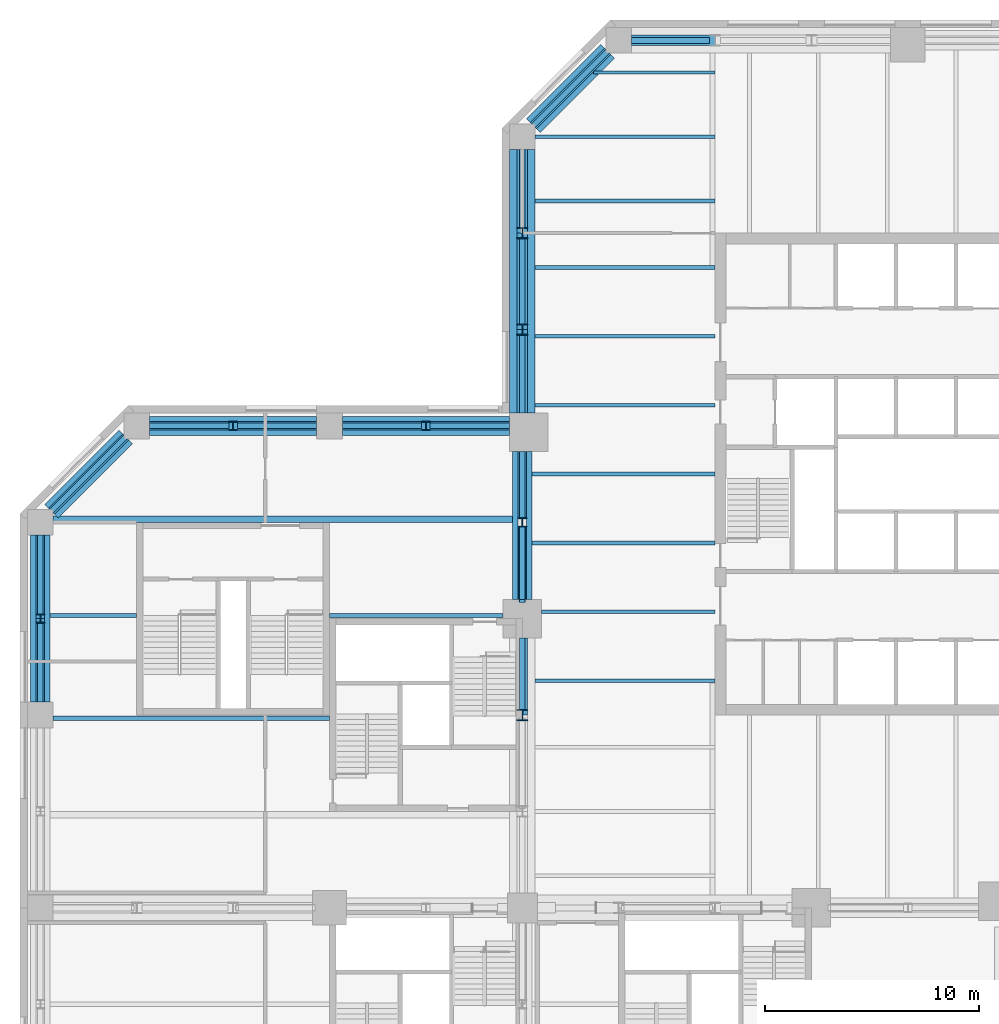
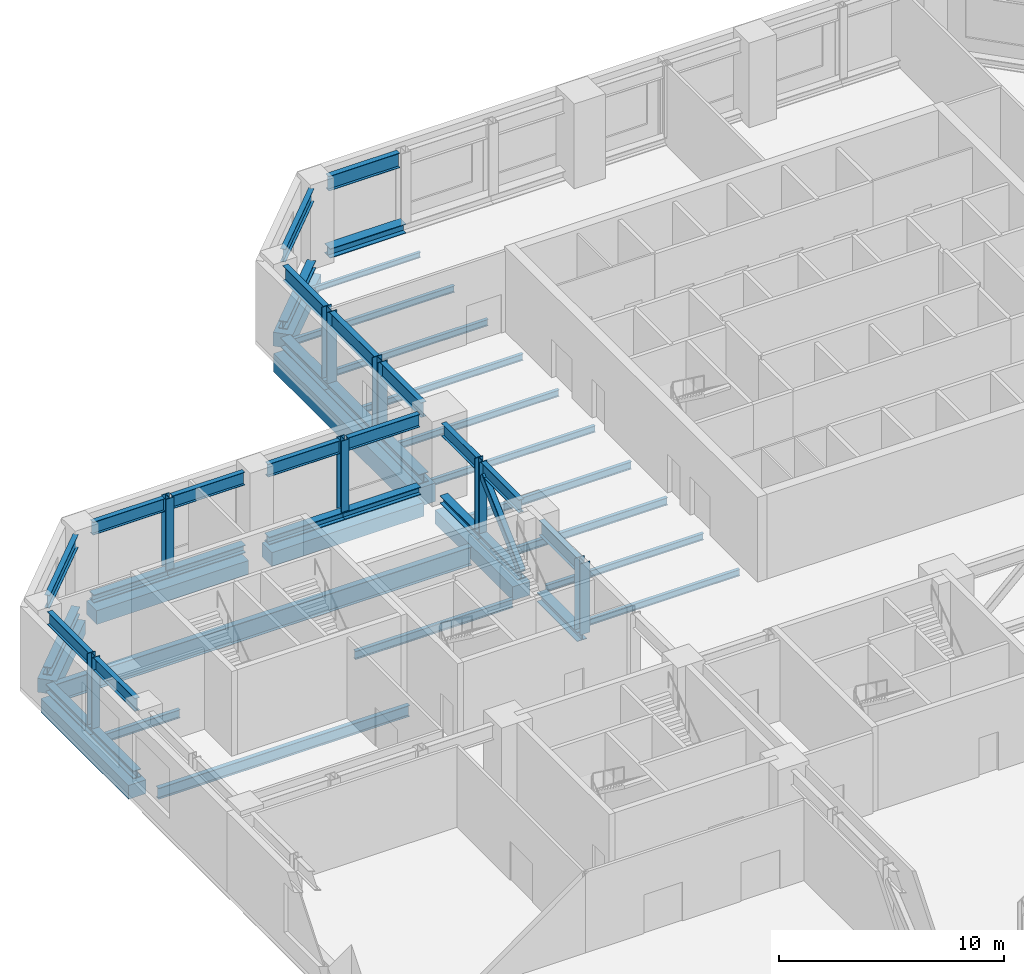
# One storey, part 8 of 21: 36 beams, 23 members.
"""IFC4 building model written with IfcOpenShell, lengths in metres."""

from ifc_helpers import new_model, si_unit, direction, frame, origin, origin_2d, place, context, subcontext, project, spatial, rectangle, hollow_rectangle, i_section, extrude, material, material_profile, profile_set, type_object, element, save


model = new_model("IFC4")

# Units and contexts
model_context = context("Model", 3, precision=1e-05, world=origin(), true_north=direction((0.0, 1.0)))
body_context = subcontext(model_context, "Body", "Model", "MODEL_VIEW")
ifc_project = project(units=[si_unit("LENGTHUNIT", "METRE"), si_unit("AREAUNIT", "SQUARE_METRE"), si_unit("VOLUMEUNIT", "CUBIC_METRE"), si_unit("PLANEANGLEUNIT", "RADIAN"), si_unit("MASSUNIT", "GRAM", prefix="KILO")], contexts=[model_context])

# Site, building, storey
site_placement = place(None, origin())
site = spatial("IfcSite", under=ifc_project, at=site_placement, CompositionType="ELEMENT")
building_placement = place(site_placement, origin())
building = spatial("IfcBuilding", under=site, at=building_placement, Name="Quoin Convention Tower", CompositionType="ELEMENT")
storey_placement = place(building_placement, frame((0.0, 0.0, 18.5)))
storey = spatial("IfcBuildingStorey", under=building, at=storey_placement, Name="L03", CompositionType="ELEMENT", Elevation=18.5)

# Beams
ifc_material_1 = material(Name="Steel Grade 300", Category="steel")
ifc_material_profile_1 = material_profile(ifc_material_1, i_section(OverallWidth=0.300048828125, OverallDepth=1.0, WebThickness=0.01611328125, FlangeThickness=0.02001953125, at=origin_2d()), Name="1000WB215")
ifc_profile_set_1 = profile_set([ifc_material_profile_1], Name="Steel Grade 300")
beam_type_1 = type_object("IfcBeamType", Name="1000WB215", PredefinedType="BEAM", material=ifc_profile_set_1)
beam_1_placement = place(storey_placement, frame((14.10009765625, 58.64990234375, -0.719970703125), z_axis=(1.0, 0.0, 0.0), x_axis=(0.0, 1.0, 0.0)))
element("IfcBeam", 1, at=beam_1_placement, inside=storey, type_object=beam_type_1, Name="gir-L03-ST2-4-0", PredefinedType="BEAM", context=body_context, shape_type="SweptSolid", body=[
    extrude(i_section(OverallWidth=0.300048828125, OverallDepth=1.0, WebThickness=0.01611328125, FlangeThickness=0.02001953125, at=origin_2d()), origin(), (0.0, 0.0, 1.0), 21.449951171875),
])
ifc_material_profile_2 = material_profile(ifc_material_1, i_section(OverallWidth=0.14892578125, OverallDepth=0.298095703125, WebThickness=0.005615234375, FlangeThickness=0.008056640625, FilletRadius=0.012939453125, at=origin_2d()), Name="310UB32.0")
ifc_profile_set_2 = profile_set([ifc_material_profile_2], Name="Steel Grade 300")
beam_type_2 = type_object("IfcBeamType", Name="310UB32.0", PredefinedType="BEAM", material=ifc_profile_set_2)
beam_2_placement = place(storey_placement, frame((39.31982421875, 79.5, -0.368896484375), z_axis=(1.0, 0.0, 0.0), x_axis=(0.0, 1.0, 0.0)))
element("IfcBeam", 2, at=beam_2_placement, inside=storey, type_object=beam_type_2, Name="bm-L03-T1NW0", PredefinedType="BEAM", context=body_context, shape_type="SweptSolid", body=[
    extrude(i_section(OverallWidth=0.14892578125, OverallDepth=0.298095703125, WebThickness=0.005615234375, FlangeThickness=0.008056640625, FilletRadius=0.012939453125, at=origin_2d()), origin(), (0.0, 0.0, 1.0), 5.68017578125),
])
ifc_material_profile_3 = material_profile(ifc_material_1, i_section(OverallWidth=0.1708984375, OverallDepth=0.35205078125, WebThickness=0.0068359375, FlangeThickness=0.009765625, FilletRadius=0.011474609375, at=origin_2d()), Name="360UB44.7")
ifc_profile_set_3 = profile_set([ifc_material_profile_3], Name="Steel Grade 300")
beam_type_3 = type_object("IfcBeamType", Name="360UB44.7", PredefinedType="BEAM", material=ifc_profile_set_3)
beam_3_placement = place(storey_placement, frame((36.60009765625, 51.107177734375, -0.39599609375), z_axis=(1.0, 0.0, 0.0), x_axis=(0.0, 1.0, 0.0)))
element("IfcBeam", 3, at=beam_3_placement, inside=storey, type_object=beam_type_3, Name="bm-L03-T1W0", PredefinedType="BEAM", context=body_context, shape_type="SweptSolid", body=[
    extrude(i_section(OverallWidth=0.1708984375, OverallDepth=0.35205078125, WebThickness=0.0068359375, FlangeThickness=0.009765625, FilletRadius=0.011474609375, at=origin_2d()), origin(), (0.0, 0.0, 1.0), 8.39990234375),
])
beam_4_placement = place(storey_placement, frame((36.89990234375, 54.3212890625, -0.39599609375), z_axis=(1.0, 0.0, 0.0), x_axis=(0.0, 1.0, 0.0)))
element("IfcBeam", 4, at=beam_4_placement, inside=storey, type_object=beam_type_3, Name="bm-L03-T1W1", PredefinedType="BEAM", context=body_context, shape_type="SweptSolid", body=[
    extrude(i_section(OverallWidth=0.1708984375, OverallDepth=0.35205078125, WebThickness=0.0068359375, FlangeThickness=0.009765625, FilletRadius=0.011474609375, at=origin_2d()), origin(), (0.0, 0.0, 1.0), 8.10009765625),
])
for number, where, z_axis, x_axis, name in (
    (5, (36.60009765625, 63.96435546875, -0.39599609375), (1.0, 0.0, 0.0), (0.0, 1.0, 0.0), "bm-L03-T1W4"),
    (6, (36.60009765625, 67.1787109375, -0.39599609375), (1.0, 0.0, 0.0), (0.0, 1.0, 0.0), "bm-L03-T1W5"),
    (7, (36.60009765625, 70.392822265625, -0.39599609375), (1.0, 0.0, 0.0), (0.0, 1.0, 0.0), "bm-L03-T1W6"),
    (8, (36.60009765625, 76.5, -0.39599609375), (1.0, 0.0, 0.0), (0.0, 1.0, 0.0), "bm-L03-T1NW1"),
    (9, (36.60009765625, 73.5, -0.39599609375), (1.0, 0.0, 0.0), (0.0, 1.0, 0.0), "bm-L03-T1NW2"),
):
    element("IfcBeam", number, at=place(storey_placement, frame(where, z_axis=z_axis, x_axis=x_axis)), inside=storey, type_object=beam_type_3, Name=name, PredefinedType="BEAM", context=body_context, shape_type="SweptSolid", body=[
        extrude(i_section(OverallWidth=0.1708984375, OverallDepth=0.35205078125, WebThickness=0.0068359375, FlangeThickness=0.009765625, FilletRadius=0.011474609375, at=origin_2d()), origin(), (0.0, 0.0, 1.0), 8.39990234375),
    ])

# Members
ifc_material_profile_4 = material_profile(ifc_material_1, i_section(OverallWidth=0.39990234375, OverallDepth=0.422119140625, WebThickness=0.028076171875, FlangeThickness=0.035888671875, at=origin_2d()), Name="400WC303")
ifc_profile_set_4 = profile_set([ifc_material_profile_4], Name="Steel Grade 300")
member_type_1 = type_object("IfcMemberType", Name="400WC303", PredefinedType="CHORD", material=ifc_profile_set_4)
member_1_placement = place(storey_placement, frame((39.98486328125, 80.48486328125, 0.257080078125), z_axis=(-0.707106781187, -0.707106781187, 0.0), x_axis=(0.707106781187, -0.707106781187, 0.0)))
element("IfcMember", 10, at=member_1_placement, inside=storey, type_object=member_type_1, Name="Transfer girder L03 bottom chord 40500_81000-36000_76500", PredefinedType="CHORD", context=body_context, shape_type="SweptSolid", body=[
    extrude(i_section(OverallWidth=0.39990234375, OverallDepth=0.422119140625, WebThickness=0.028076171875, FlangeThickness=0.035888671875, at=origin_2d()), origin(), (0.0, 0.0, 1.0), 4.906982421875),
])
for number, where, z_axis, x_axis, name in (
    (11, (35.39990234375, 63.0, 0.257080078125), (-1.0, 0.0, 0.0), (0.0, -1.0, 0.0), "Transfer girder L03 bottom chord 36000_63000-31500_63000"),
    (12, (31.5, 63.0, 0.257080078125), (-1.0, 0.0, 0.0), (0.0, -1.0, 0.0), "Transfer girder L03 bottom chord 31500_63000-27000_63000"),
    (13, (26.39990234375, 63.0, 0.257080078125), (-1.0, 0.0, 0.0), (0.0, -1.0, 0.0), "Transfer girder L03 bottom chord 27000_63000-22500_63000"),
    (14, (22.5, 63.0, 0.257080078125), (-1.0, 0.0, 0.0), (0.0, -1.0, 0.0), "Transfer girder L03 bottom chord 22500_63000-18000_63000"),
):
    element("IfcMember", number, at=place(storey_placement, frame(where, z_axis=z_axis, x_axis=x_axis)), inside=storey, type_object=member_type_1, Name=name, PredefinedType="CHORD", context=body_context, shape_type="SweptSolid", body=[
        extrude(i_section(OverallWidth=0.39990234375, OverallDepth=0.422119140625, WebThickness=0.028076171875, FlangeThickness=0.035888671875, at=origin_2d()), origin(), (0.0, 0.0, 1.0), 3.89990234375),
    ])
member_2_placement = place(storey_placement, frame((17.48486328125, 62.48486328125, 0.257080078125), z_axis=(-0.707106781187, -0.707106781187, 0.0), x_axis=(0.707106781187, -0.707106781187, 0.0)))
element("IfcMember", 15, at=member_2_placement, inside=storey, type_object=member_type_1, Name="Transfer girder L03 bottom chord 18000_63000-13500_58500", PredefinedType="CHORD", context=body_context, shape_type="SweptSolid", body=[
    extrude(i_section(OverallWidth=0.39990234375, OverallDepth=0.422119140625, WebThickness=0.028076171875, FlangeThickness=0.035888671875, at=origin_2d()), origin(), (0.0, 0.0, 1.0), 4.906982421875),
])
for number, where, z_axis, x_axis, name in (
    (16, (13.5, 57.89990234375, 0.257080078125), (0.0, -1.0, 0.0), (1.0, 0.0, 0.0), "Transfer girder L03 bottom chord 13500_58500-13500_54000"),
    (17, (13.5, 54.0, 0.257080078125), (0.0, -1.0, 0.0), (1.0, 0.0, 0.0), "Transfer girder L03 bottom chord 13500_54000-13500_49500"),
):
    element("IfcMember", number, at=place(storey_placement, frame(where, z_axis=z_axis, x_axis=x_axis)), inside=storey, type_object=member_type_1, Name=name, PredefinedType="CHORD", context=body_context, shape_type="SweptSolid", body=[
        extrude(i_section(OverallWidth=0.39990234375, OverallDepth=0.422119140625, WebThickness=0.028076171875, FlangeThickness=0.035888671875, at=origin_2d()), origin(), (0.0, 0.0, 1.0), 3.89990234375),
    ])
member_3_placement = place(storey_placement, frame((36.0, 54.89990234375, 0.257080078125), z_axis=(0.0, 1.0, 0.0), x_axis=(-1.0, 0.0, 0.0)))
element("IfcMember", 18, at=member_3_placement, inside=storey, type_object=member_type_1, Name="Transfer truss L03 bottom chord 36000_54000-36000_58500", PredefinedType="CHORD", context=body_context, shape_type="SweptSolid", body=[
    extrude(i_section(OverallWidth=0.39990234375, OverallDepth=0.422119140625, WebThickness=0.028076171875, FlangeThickness=0.035888671875, at=origin_2d()), origin(), (0.0, 0.0, 1.0), 3.60009765625),
])
member_4_placement = place(storey_placement, frame((36.0, 58.5, 0.257080078125), z_axis=(0.0, 1.0, 0.0), x_axis=(-1.0, 0.0, 0.0)))
element("IfcMember", 19, at=member_4_placement, inside=storey, type_object=member_type_1, Name="Transfer truss L03 bottom chord 36000_58500-36000_63000", PredefinedType="CHORD", context=body_context, shape_type="SweptSolid", body=[
    extrude(i_section(OverallWidth=0.39990234375, OverallDepth=0.422119140625, WebThickness=0.028076171875, FlangeThickness=0.035888671875, at=origin_2d()), origin(), (0.0, 0.0, 1.0), 3.300048828125),
])
ifc_material_profile_5 = material_profile(ifc_material_1, i_section(OverallWidth=0.39990234375, OverallDepth=0.422119140625, WebThickness=0.028076171875, FlangeThickness=0.035888671875, at=origin_2d()), Name="400WC303")
ifc_profile_set_5 = profile_set([ifc_material_profile_5], Name="Steel Grade 300")
member_type_2 = type_object("IfcMemberType", Name="400WC303 transfer post", PredefinedType="POST", material=ifc_profile_set_5)
for number, where, z_axis, x_axis, name in (
    (20, (31.5, 63.0, 0.513916015625), (0.0, 0.0, 1.0), (1.0, 0.0, 0.0), "Transfer girder L03 post 31500_63000"),
    (21, (22.5, 63.0, 0.513916015625), (0.0, 0.0, 1.0), (1.0, 0.0, 0.0), "Transfer girder L03 post 22500_63000"),
    (22, (13.5, 54.0, 0.513916015625), (0.0, 0.0, 1.0), (1.0, 0.0, 0.0), "Transfer girder L03 post 13500_54000"),
    (23, (36.0, 58.5, 0.513916015625), (0.0, 0.0, 1.0), (1.0, 0.0, 0.0), "Transfer truss L03 post 36000_58500"),
):
    element("IfcMember", number, at=place(storey_placement, frame(where, z_axis=z_axis, x_axis=x_axis)), inside=storey, type_object=member_type_2, Name=name, PredefinedType="POST", context=body_context, shape_type="SweptSolid", body=[
        extrude(i_section(OverallWidth=0.39990234375, OverallDepth=0.422119140625, WebThickness=0.028076171875, FlangeThickness=0.035888671875, at=origin_2d()), origin(), (0.0, 0.0, 1.0), 3.865966796875),
    ])
ifc_material_2 = material(Name="Steel C450L0", Category="steel")
ifc_material_profile_6 = material_profile(ifc_material_2, hollow_rectangle(XDim=0.300048828125, YDim=0.39990234375, WallThickness=0.01611328125, InnerFilletRadius=0.02392578125, OuterFilletRadius=0.0400390625, at=origin_2d()), Name="400x300x16.0RHS")
ifc_profile_set_6 = profile_set([ifc_material_profile_6], Name="Steel C450L0")
member_type_3 = type_object("IfcMemberType", Name="400x300x16.0RHS", PredefinedType="BRACE", material=ifc_profile_set_6)
member_5_placement = place(storey_placement, frame((36.0, 54.89990234375, 0.513916015625), z_axis=(0.0, 0.731855113482, 0.681460265071), x_axis=(-1.0, 0.0, 0.0)))
element("IfcMember", 24, at=member_5_placement, inside=storey, type_object=member_type_3, Name="Transfer truss L03 diagonal 36000_54000-36000_58500", PredefinedType="BRACE", context=body_context, shape_type="SweptSolid", body=[
    extrude(hollow_rectangle(XDim=0.300048828125, YDim=0.39990234375, WallThickness=0.01611328125, InnerFilletRadius=0.02392578125, OuterFilletRadius=0.0400390625, at=origin_2d()), origin(), (0.0, 0.0, 1.0), 4.64599609375),
])

# Beams
ifc_material_profile_7 = material_profile(ifc_material_1, i_section(OverallWidth=0.177978515625, OverallDepth=0.403076171875, WebThickness=0.007568359375, FlangeThickness=0.010986328125, FilletRadius=0.011474609375, at=origin_2d()), Name="410UB53.7")
ifc_profile_set_7 = profile_set([ifc_material_profile_7], Name="Steel Grade 300")
beam_type_4 = type_object("IfcBeamType", Name="410UB53.7", PredefinedType="BEAM", material=ifc_profile_set_7)
for number, where, z_axis, x_axis, name in (
    (25, (36.449951171875, 57.53564453125, -0.42138671875), (1.0, 0.0, 0.0), (0.0, 1.0, 0.0), "bm-L03-T1W2"),
    (26, (36.449951171875, 60.75, -0.42138671875), (1.0, 0.0, 0.0), (0.0, 1.0, 0.0), "bm-L03-T1W3"),
):
    element("IfcBeam", number, at=place(storey_placement, frame(where, z_axis=z_axis, x_axis=x_axis)), inside=storey, type_object=beam_type_4, Name=name, PredefinedType="BEAM", context=body_context, shape_type="SweptSolid", body=[
        extrude(i_section(OverallWidth=0.177978515625, OverallDepth=0.403076171875, WebThickness=0.007568359375, FlangeThickness=0.010986328125, FilletRadius=0.011474609375, at=origin_2d()), origin(), (0.0, 0.0, 1.0), 8.550048828125),
    ])
ifc_material_profile_8 = material_profile(ifc_material_1, i_section(OverallWidth=0.18994140625, OverallDepth=0.4541015625, WebThickness=0.008544921875, FlangeThickness=0.0126953125, FilletRadius=0.011474609375, at=origin_2d()), Name="460UB67.1")
ifc_profile_set_8 = profile_set([ifc_material_profile_8], Name="Steel Grade 300")
beam_type_5 = type_object("IfcBeamType", Name="460UB67.1", PredefinedType="BEAM", material=ifc_profile_set_8)
beam_5_placement = place(storey_placement, frame((13.949951171875, 54.14990234375, -0.447021484375), z_axis=(1.0, 0.0, 0.0), x_axis=(0.0, 1.0, 0.0)))
element("IfcBeam", 27, at=beam_5_placement, inside=storey, type_object=beam_type_5, Name="gir-L03-ST2-3-0", PredefinedType="BEAM", context=body_context, shape_type="SweptSolid", body=[
    extrude(i_section(OverallWidth=0.18994140625, OverallDepth=0.4541015625, WebThickness=0.008544921875, FlangeThickness=0.0126953125, FilletRadius=0.011474609375, at=origin_2d()), origin(), (0.0, 0.0, 1.0), 4.050048828125),
])
beam_6_placement = place(storey_placement, frame((27.0, 54.14990234375, -0.447021484375), z_axis=(1.0, 0.0, 0.0), x_axis=(0.0, 1.0, 0.0)))
element("IfcBeam", 28, at=beam_6_placement, inside=storey, type_object=beam_type_5, Name="gir-L03-ST2-3-1", PredefinedType="BEAM", context=body_context, shape_type="SweptSolid", body=[
    extrude(i_section(OverallWidth=0.18994140625, OverallDepth=0.4541015625, WebThickness=0.008544921875, FlangeThickness=0.0126953125, FilletRadius=0.011474609375, at=origin_2d()), origin(), (0.0, 0.0, 1.0), 8.10009765625),
])

# Members
ifc_material_profile_9 = material_profile(ifc_material_1, i_section(OverallWidth=0.5, OverallDepth=0.513916015625, WebThickness=0.02490234375, FlangeThickness=0.031982421875, at=origin_2d()), Name="500WC340")
ifc_profile_set_9 = profile_set([ifc_material_profile_9], Name="Steel Grade 300")
member_type_4 = type_object("IfcMemberType", Name="500WC340", PredefinedType="CHORD", material=ifc_profile_set_9)
for number, where, z_axis, x_axis, name in (
    (29, (45.0, 81.0, 0.257080078125), (-1.0, 0.0, 0.0), (0.0, -1.0, 0.0), "Transfer girder L03 bottom chord 45000_81000-40500_81000"),
    (30, (36.0, 75.89990234375, 0.257080078125), (0.0, -1.0, 0.0), (1.0, 0.0, 0.0), "Transfer girder L03 bottom chord 36000_76500-36000_72000"),
):
    element("IfcMember", number, at=place(storey_placement, frame(where, z_axis=z_axis, x_axis=x_axis)), inside=storey, type_object=member_type_4, Name=name, PredefinedType="CHORD", context=body_context, shape_type="SweptSolid", body=[
        extrude(i_section(OverallWidth=0.5, OverallDepth=0.513916015625, WebThickness=0.02490234375, FlangeThickness=0.031982421875, at=origin_2d()), origin(), (0.0, 0.0, 1.0), 3.89990234375),
    ])
member_6_placement = place(storey_placement, frame((36.0, 72.0, 0.257080078125), z_axis=(0.0, -1.0, 0.0), x_axis=(1.0, 0.0, 0.0)))
element("IfcMember", 31, at=member_6_placement, inside=storey, type_object=member_type_4, Name="Transfer girder L03 bottom chord 36000_72000-36000_67500", PredefinedType="CHORD", context=body_context, shape_type="SweptSolid", body=[
    extrude(i_section(OverallWidth=0.5, OverallDepth=0.513916015625, WebThickness=0.02490234375, FlangeThickness=0.031982421875, at=origin_2d()), origin(), (0.0, 0.0, 1.0), 4.5),
])
member_7_placement = place(storey_placement, frame((36.0, 67.5, 0.257080078125), z_axis=(0.0, -1.0, 0.0), x_axis=(1.0, 0.0, 0.0)))
element("IfcMember", 32, at=member_7_placement, inside=storey, type_object=member_type_4, Name="Transfer girder L03 bottom chord 36000_67500-36000_63000", PredefinedType="CHORD", context=body_context, shape_type="SweptSolid", body=[
    extrude(i_section(OverallWidth=0.5, OverallDepth=0.513916015625, WebThickness=0.02490234375, FlangeThickness=0.031982421875, at=origin_2d()), origin(), (0.0, 0.0, 1.0), 3.89990234375),
])
member_8_placement = place(storey_placement, frame((36.0, 49.5, 0.257080078125), z_axis=(0.0, 1.0, 0.0), x_axis=(-1.0, 0.0, 0.0)))
element("IfcMember", 33, at=member_8_placement, inside=storey, type_object=member_type_4, Name="Transfer truss L03 bottom chord 36000_49500-36000_54000", PredefinedType="CHORD", context=body_context, shape_type="SweptSolid", body=[
    extrude(i_section(OverallWidth=0.5, OverallDepth=0.513916015625, WebThickness=0.02490234375, FlangeThickness=0.031982421875, at=origin_2d()), origin(), (0.0, 0.0, 1.0), 3.60009765625),
])
ifc_material_profile_10 = material_profile(ifc_material_1, i_section(OverallWidth=0.5, OverallDepth=0.513916015625, WebThickness=0.02490234375, FlangeThickness=0.031982421875, at=origin_2d()), Name="500WC340")
ifc_profile_set_10 = profile_set([ifc_material_profile_10], Name="Steel Grade 300")
member_type_5 = type_object("IfcMemberType", Name="500WC340 transfer post", PredefinedType="POST", material=ifc_profile_set_10)
for number, where, z_axis, x_axis, name in (
    (34, (36.0, 72.0, 0.513916015625), (0.0, 0.0, 1.0), (1.0, 0.0, 0.0), "Transfer girder L03 post 36000_72000"),
    (35, (36.0, 67.5, 0.513916015625), (0.0, 0.0, 1.0), (1.0, 0.0, 0.0), "Transfer girder L03 post 36000_67500"),
    (36, (36.0, 49.5, 0.513916015625), (0.0, 0.0, 1.0), (1.0, 0.0, 0.0), "Transfer truss L03 post 36000_49500"),
):
    element("IfcMember", number, at=place(storey_placement, frame(where, z_axis=z_axis, x_axis=x_axis)), inside=storey, type_object=member_type_5, Name=name, PredefinedType="POST", context=body_context, shape_type="SweptSolid", body=[
        extrude(i_section(OverallWidth=0.5, OverallDepth=0.513916015625, WebThickness=0.02490234375, FlangeThickness=0.031982421875, at=origin_2d()), origin(), (0.0, 0.0, 1.0), 3.865966796875),
    ])

# Beams
ifc_material_profile_11 = material_profile(ifc_material_1, i_section(OverallWidth=0.22802734375, OverallDepth=0.60205078125, WebThickness=0.010498046875, FlangeThickness=0.014892578125, FilletRadius=0.013916015625, at=origin_2d()), Name="610UB101")
ifc_profile_set_11 = profile_set([ifc_material_profile_11], Name="Steel Grade 300")
beam_type_6 = type_object("IfcBeamType", Name="610UB101", PredefinedType="BEAM", material=ifc_profile_set_11)
beam_7_placement = place(storey_placement, frame((14.10009765625, 49.35009765625, -0.52099609375), z_axis=(1.0, 0.0, 0.0), x_axis=(0.0, 1.0, 0.0)))
element("IfcBeam", 37, at=beam_7_placement, inside=storey, type_object=beam_type_6, Name="gir-L03-ST2-2-0", PredefinedType="BEAM", context=body_context, shape_type="SweptSolid", body=[
    extrude(i_section(OverallWidth=0.22802734375, OverallDepth=0.60205078125, WebThickness=0.010498046875, FlangeThickness=0.014892578125, FilletRadius=0.013916015625, at=origin_2d()), origin(), (0.0, 0.0, 1.0), 12.89990234375),
])
ifc_material_profile_12 = material_profile(ifc_material_1, i_section(OverallWidth=0.25, OverallDepth=0.699951171875, WebThickness=0.010009765625, FlangeThickness=0.02001953125, at=origin_2d()), Name="700WB130")
ifc_profile_set_12 = profile_set([ifc_material_profile_12], Name="Steel Grade 300")
beam_type_7 = type_object("IfcBeamType", Name="700WB130", PredefinedType="BEAM", material=ifc_profile_set_12)
beam_8_placement = place(storey_placement, frame((39.98486328125, 80.48486328125, 4.030029296875), z_axis=(-0.707106781187, -0.707106781187, 0.0), x_axis=(0.707106781187, -0.707106781187, 0.0)))
element("IfcBeam", 38, at=beam_8_placement, inside=storey, type_object=beam_type_7, Name="Transfer girder L03 top chord 40500_81000-36000_76500", PredefinedType="BEAM", context=body_context, shape_type="SweptSolid", body=[
    extrude(i_section(OverallWidth=0.25, OverallDepth=0.699951171875, WebThickness=0.010009765625, FlangeThickness=0.02001953125, at=origin_2d()), origin(), (0.0, 0.0, 1.0), 4.906982421875),
])
for number, where, z_axis, x_axis, name in (
    (39, (35.39990234375, 63.0, 4.030029296875), (-1.0, 0.0, 0.0), (0.0, -1.0, 0.0), "Transfer girder L03 top chord 36000_63000-31500_63000"),
    (40, (31.300048828125, 63.0, 4.030029296875), (-1.0, 0.0, 0.0), (0.0, -1.0, 0.0), "Transfer girder L03 top chord 31500_63000-27000_63000"),
    (41, (26.39990234375, 63.0, 4.030029296875), (-1.0, 0.0, 0.0), (0.0, -1.0, 0.0), "Transfer girder L03 top chord 27000_63000-22500_63000"),
    (42, (22.300048828125, 63.0, 4.030029296875), (-1.0, 0.0, 0.0), (0.0, -1.0, 0.0), "Transfer girder L03 top chord 22500_63000-18000_63000"),
):
    element("IfcBeam", number, at=place(storey_placement, frame(where, z_axis=z_axis, x_axis=x_axis)), inside=storey, type_object=beam_type_7, Name=name, PredefinedType="BEAM", context=body_context, shape_type="SweptSolid", body=[
        extrude(i_section(OverallWidth=0.25, OverallDepth=0.699951171875, WebThickness=0.010009765625, FlangeThickness=0.02001953125, at=origin_2d()), origin(), (0.0, 0.0, 1.0), 3.699951171875),
    ])
beam_9_placement = place(storey_placement, frame((17.48486328125, 62.48486328125, 4.030029296875), z_axis=(-0.707106781187, -0.707106781187, 0.0), x_axis=(0.707106781187, -0.707106781187, 0.0)))
element("IfcBeam", 43, at=beam_9_placement, inside=storey, type_object=beam_type_7, Name="Transfer girder L03 top chord 18000_63000-13500_58500", PredefinedType="BEAM", context=body_context, shape_type="SweptSolid", body=[
    extrude(i_section(OverallWidth=0.25, OverallDepth=0.699951171875, WebThickness=0.010009765625, FlangeThickness=0.02001953125, at=origin_2d()), origin(), (0.0, 0.0, 1.0), 4.906982421875),
])
for number, where, z_axis, x_axis, name in (
    (44, (13.5, 57.89990234375, 4.030029296875), (0.0, -1.0, 0.0), (1.0, 0.0, 0.0), "Transfer girder L03 top chord 13500_58500-13500_54000"),
    (45, (13.5, 53.800048828125, 4.030029296875), (0.0, -1.0, 0.0), (1.0, 0.0, 0.0), "Transfer girder L03 top chord 13500_54000-13500_49500"),
):
    element("IfcBeam", number, at=place(storey_placement, frame(where, z_axis=z_axis, x_axis=x_axis)), inside=storey, type_object=beam_type_7, Name=name, PredefinedType="BEAM", context=body_context, shape_type="SweptSolid", body=[
        extrude(i_section(OverallWidth=0.25, OverallDepth=0.699951171875, WebThickness=0.010009765625, FlangeThickness=0.02001953125, at=origin_2d()), origin(), (0.0, 0.0, 1.0), 3.699951171875),
    ])
beam_10_placement = place(storey_placement, frame((36.0, 54.89990234375, 4.030029296875), z_axis=(0.0, 1.0, 0.0), x_axis=(-1.0, 0.0, 0.0)))
element("IfcBeam", 46, at=beam_10_placement, inside=storey, type_object=beam_type_7, Name="Transfer truss L03 top chord 36000_54000-36000_58500", PredefinedType="BEAM", context=body_context, shape_type="SweptSolid", body=[
    extrude(i_section(OverallWidth=0.25, OverallDepth=0.699951171875, WebThickness=0.010009765625, FlangeThickness=0.02001953125, at=origin_2d()), origin(), (0.0, 0.0, 1.0), 3.400146484375),
])
beam_11_placement = place(storey_placement, frame((36.0, 58.699951171875, 4.030029296875), z_axis=(0.0, 1.0, 0.0), x_axis=(-1.0, 0.0, 0.0)))
element("IfcBeam", 47, at=beam_11_placement, inside=storey, type_object=beam_type_7, Name="Transfer truss L03 top chord 36000_58500-36000_63000", PredefinedType="BEAM", context=body_context, shape_type="SweptSolid", body=[
    extrude(i_section(OverallWidth=0.25, OverallDepth=0.699951171875, WebThickness=0.010009765625, FlangeThickness=0.02001953125, at=origin_2d()), origin(), (0.0, 0.0, 1.0), 3.10009765625),
])
ifc_material_profile_13 = material_profile(ifc_material_1, i_section(OverallWidth=0.27490234375, OverallDepth=0.800048828125, WebThickness=0.010009765625, FlangeThickness=0.02001953125, at=origin_2d()), Name="800WB146")
ifc_profile_set_13 = profile_set([ifc_material_profile_13], Name="Steel Grade 300")
beam_type_8 = type_object("IfcBeamType", Name="800WB146", PredefinedType="BEAM", material=ifc_profile_set_13)
for number, where, z_axis, x_axis, name in (
    (48, (44.75, 81.0, 3.97998046875), (-1.0, 0.0, 0.0), (0.0, -1.0, 0.0), "Transfer girder L03 top chord 45000_81000-40500_81000"),
    (49, (36.0, 75.89990234375, 3.97998046875), (0.0, -1.0, 0.0), (1.0, 0.0, 0.0), "Transfer girder L03 top chord 36000_76500-36000_72000"),
):
    element("IfcBeam", number, at=place(storey_placement, frame(where, z_axis=z_axis, x_axis=x_axis)), inside=storey, type_object=beam_type_8, Name=name, PredefinedType="BEAM", context=body_context, shape_type="SweptSolid", body=[
        extrude(i_section(OverallWidth=0.27490234375, OverallDepth=0.800048828125, WebThickness=0.010009765625, FlangeThickness=0.02001953125, at=origin_2d()), origin(), (0.0, 0.0, 1.0), 3.64990234375),
    ])
beam_12_placement = place(storey_placement, frame((36.0, 71.75, 3.97998046875), z_axis=(0.0, -1.0, 0.0), x_axis=(1.0, 0.0, 0.0)))
element("IfcBeam", 50, at=beam_12_placement, inside=storey, type_object=beam_type_8, Name="Transfer girder L03 top chord 36000_72000-36000_67500", PredefinedType="BEAM", context=body_context, shape_type="SweptSolid", body=[
    extrude(i_section(OverallWidth=0.27490234375, OverallDepth=0.800048828125, WebThickness=0.010009765625, FlangeThickness=0.02001953125, at=origin_2d()), origin(), (0.0, 0.0, 1.0), 4.0),
])
beam_13_placement = place(storey_placement, frame((36.0, 67.25, 3.97998046875), z_axis=(0.0, -1.0, 0.0), x_axis=(1.0, 0.0, 0.0)))
element("IfcBeam", 51, at=beam_13_placement, inside=storey, type_object=beam_type_8, Name="Transfer girder L03 top chord 36000_67500-36000_63000", PredefinedType="BEAM", context=body_context, shape_type="SweptSolid", body=[
    extrude(i_section(OverallWidth=0.27490234375, OverallDepth=0.800048828125, WebThickness=0.010009765625, FlangeThickness=0.02001953125, at=origin_2d()), origin(), (0.0, 0.0, 1.0), 3.64990234375),
])
beam_14_placement = place(storey_placement, frame((36.0, 49.75, 3.97998046875), z_axis=(0.0, 1.0, 0.0), x_axis=(-1.0, 0.0, 0.0)))
element("IfcBeam", 52, at=beam_14_placement, inside=storey, type_object=beam_type_8, Name="Transfer truss L03 top chord 36000_49500-36000_54000", PredefinedType="BEAM", context=body_context, shape_type="SweptSolid", body=[
    extrude(i_section(OverallWidth=0.27490234375, OverallDepth=0.800048828125, WebThickness=0.010009765625, FlangeThickness=0.02001953125, at=origin_2d()), origin(), (0.0, 0.0, 1.0), 3.35009765625),
])
ifc_material_3 = material(Name="Concrete C80", Category="concrete")
ifc_material_profile_14 = material_profile(ifc_material_3, rectangle(XDim=1.199951171875, YDim=1.0, at=origin_2d()), Name="RC 1200x1000")
ifc_profile_set_14 = profile_set([ifc_material_profile_14], Name="Concrete C80")
beam_type_9 = type_object("IfcBeamType", Name="RC 1200x1000 C80", PredefinedType="SPANDREL", material=ifc_profile_set_14)
beam_15_placement = place(storey_placement, frame((36.0, 75.89990234375, -0.719970703125), z_axis=(0.0, -1.0, 0.0), x_axis=(1.0, 0.0, 0.0)))
element("IfcBeam", 53, at=beam_15_placement, inside=storey, type_object=beam_type_9, Name="spd-L03-36000_76500-36000_63000", PredefinedType="SPANDREL", context=body_context, shape_type="SweptSolid", body=[
    extrude(rectangle(XDim=1.199951171875, YDim=1.0, at=origin_2d()), origin(), (0.0, 0.0, 1.0), 12.2998046875),
])
ifc_material_profile_15 = material_profile(ifc_material_3, rectangle(XDim=0.89990234375, YDim=0.75, at=origin_2d()), Name="RC 900x750")
ifc_profile_set_15 = profile_set([ifc_material_profile_15], Name="Concrete C80")
beam_type_10 = type_object("IfcBeamType", Name="RC 900x750 C80", PredefinedType="SPANDREL", material=ifc_profile_set_15)
beam_16_placement = place(storey_placement, frame((39.98486328125, 80.48486328125, -0.594970703125), z_axis=(-0.707106781187, -0.707106781187, 0.0), x_axis=(0.707106781187, -0.707106781187, 0.0)))
element("IfcBeam", 54, at=beam_16_placement, inside=storey, type_object=beam_type_10, Name="spd-L03-40500_81000-36000_76500", PredefinedType="SPANDREL", context=body_context, shape_type="SweptSolid", body=[
    extrude(rectangle(XDim=0.89990234375, YDim=0.75, at=origin_2d()), origin(), (0.0, 0.0, 1.0), 4.906982421875),
])
for number, where, z_axis, x_axis, name in (
    (55, (35.39990234375, 63.0, -0.594970703125), (-1.0, 0.0, 0.0), (0.0, -1.0, 0.0), "spd-L03-36000_63000-27000_63000"),
    (56, (26.39990234375, 63.0, -0.594970703125), (-1.0, 0.0, 0.0), (0.0, -1.0, 0.0), "spd-L03-27000_63000-18000_63000"),
):
    element("IfcBeam", number, at=place(storey_placement, frame(where, z_axis=z_axis, x_axis=x_axis)), inside=storey, type_object=beam_type_10, Name=name, PredefinedType="SPANDREL", context=body_context, shape_type="SweptSolid", body=[
        extrude(rectangle(XDim=0.89990234375, YDim=0.75, at=origin_2d()), origin(), (0.0, 0.0, 1.0), 7.7998046875),
    ])
beam_17_placement = place(storey_placement, frame((17.48486328125, 62.48486328125, -0.594970703125), z_axis=(-0.707106781187, -0.707106781187, 0.0), x_axis=(0.707106781187, -0.707106781187, 0.0)))
element("IfcBeam", 57, at=beam_17_placement, inside=storey, type_object=beam_type_10, Name="spd-L03-18000_63000-13500_58500", PredefinedType="SPANDREL", context=body_context, shape_type="SweptSolid", body=[
    extrude(rectangle(XDim=0.89990234375, YDim=0.75, at=origin_2d()), origin(), (0.0, 0.0, 1.0), 4.906982421875),
])
beam_18_placement = place(storey_placement, frame((13.5, 57.89990234375, -0.594970703125), z_axis=(0.0, -1.0, 0.0), x_axis=(1.0, 0.0, 0.0)))
element("IfcBeam", 58, at=beam_18_placement, inside=storey, type_object=beam_type_10, Name="spd-L03-13500_58500-13500_49500", PredefinedType="SPANDREL", context=body_context, shape_type="SweptSolid", body=[
    extrude(rectangle(XDim=0.89990234375, YDim=0.75, at=origin_2d()), origin(), (0.0, 0.0, 1.0), 7.7998046875),
])
beam_19_placement = place(storey_placement, frame((36.0, 54.89990234375, -0.594970703125), z_axis=(0.0, 1.0, 0.0), x_axis=(-1.0, 0.0, 0.0)))
element("IfcBeam", 59, at=beam_19_placement, inside=storey, type_object=beam_type_10, Name="spd-L03-36000_54000-36000_63000", PredefinedType="SPANDREL", context=body_context, shape_type="SweptSolid", body=[
    extrude(rectangle(XDim=0.89990234375, YDim=0.75, at=origin_2d()), origin(), (0.0, 0.0, 1.0), 6.900146484375),
])

save(model, "model.ifc")
